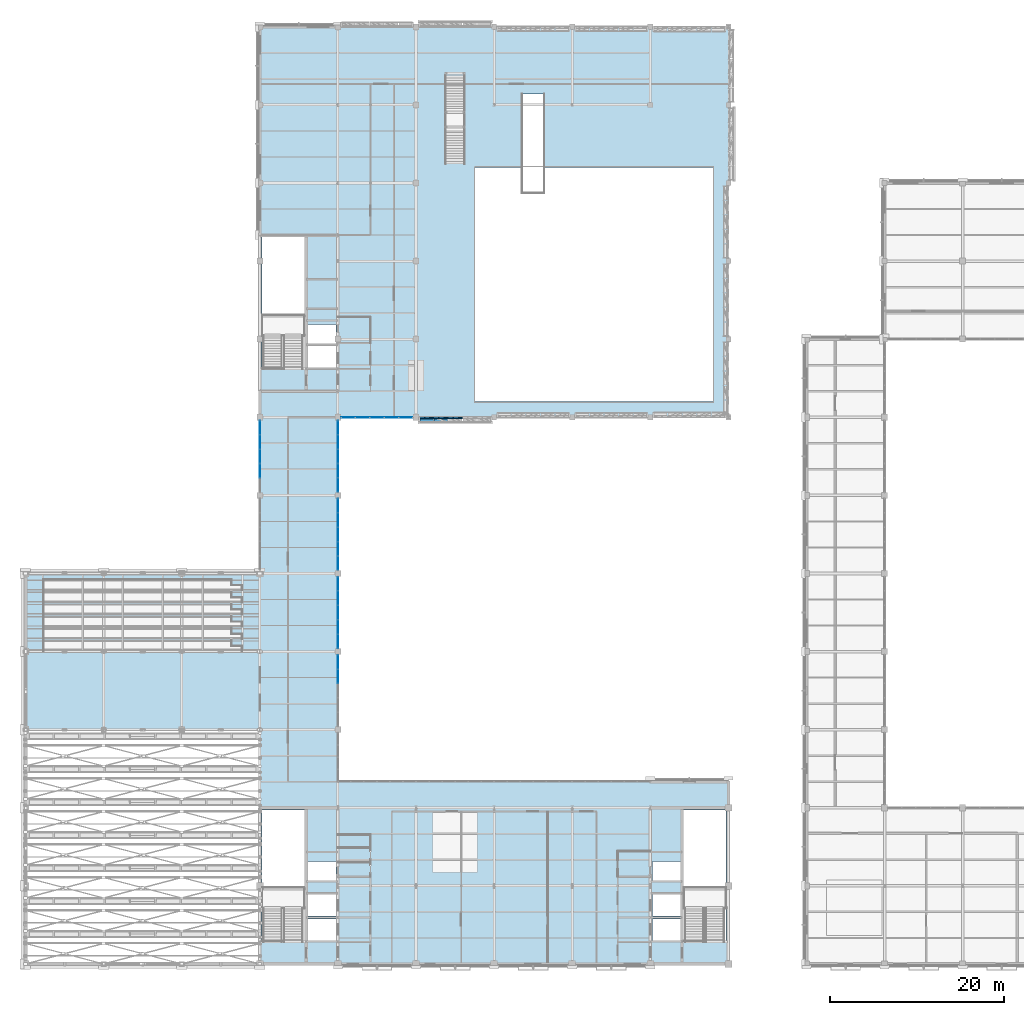
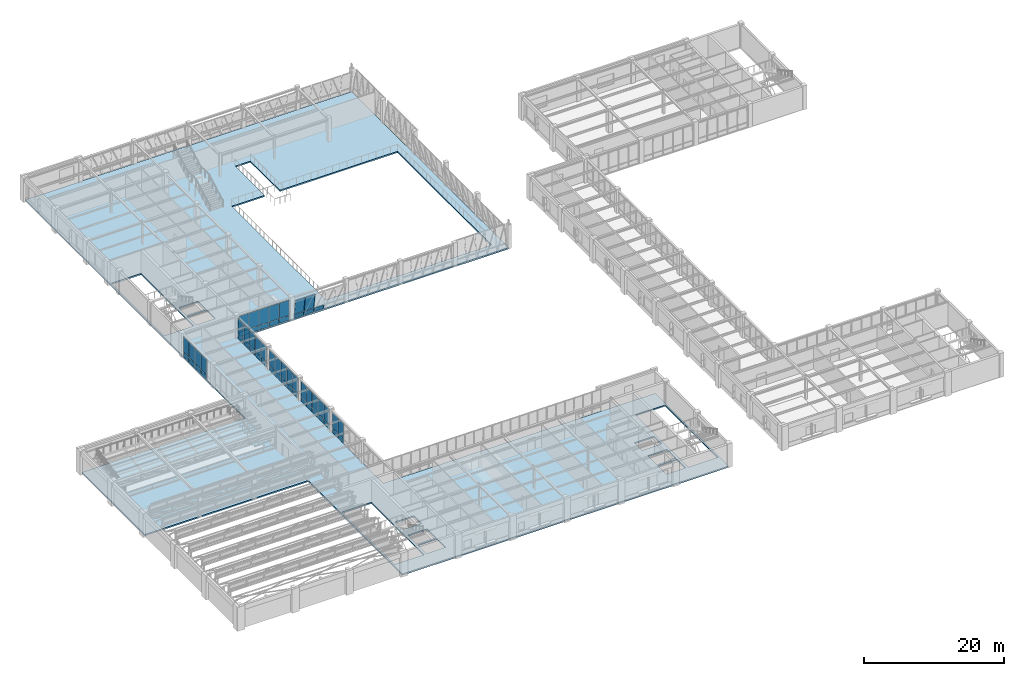
# One storey, part 81 of 108: 57 plates, 1 slab, 8 openings, 7 elements without a shape of their own.
"""IFC4 building model written with IfcOpenShell, lengths in metres."""

from ifc_helpers import new_model, si_unit, direction, frame, origin, origin_2d, place, context, subcontext, project, spatial, polyline, rectangle, outline, extrude, material, layer, layer_set, type_object, element, aggregate, save


model = new_model("IFC4")

# Units and contexts
model_context = context("Model", 3, precision=1e-05, world=origin(), true_north=direction((0.0, 1.0)))
body_context = subcontext(model_context, "Body", "Model", "MODEL_VIEW")
ifc_project = project(units=[si_unit("LENGTHUNIT", "METRE"), si_unit("AREAUNIT", "SQUARE_METRE"), si_unit("VOLUMEUNIT", "CUBIC_METRE"), si_unit("PLANEANGLEUNIT", "RADIAN"), si_unit("MASSUNIT", "GRAM", prefix="KILO")], contexts=[model_context])

# Site, building, storey
site_placement = place(None, origin())
site = spatial("IfcSite", under=ifc_project, at=site_placement, CompositionType="ELEMENT")
building_placement = place(site_placement, origin())
building = spatial("IfcBuilding", under=site, at=building_placement, Name="Lykobir Media Centre", CompositionType="ELEMENT")
storey_placement = place(building_placement, frame((0.0, 0.0, 15.0)))
storey = spatial("IfcBuildingStorey", under=building, at=storey_placement, Name="L03", CompositionType="ELEMENT", Elevation=15.0)

# Curtain wall, plates
ifc_material_1 = material(Name="Anodized Aluminium AW-6060", Category="aluminium")
curtain_wall_type_1 = type_object("IfcCurtainWallType", Name="CW-COURT-B", PredefinedType="NOTDEFINED", material=ifc_material_1)
curtain_wall_1_placement = place(storey_placement, origin())
curtain_wall_1 = element("IfcCurtainWall", 1, at=curtain_wall_1_placement, inside=storey, type_object=curtain_wall_type_1, Name="Curtain wall CW2-L03-0116", PredefinedType="NOTDEFINED")
ifc_material_2 = material(Name="Low-E Laminated Triple Glazing", Category="glass")
ifc_layer_1 = layer(ifc_material_2, 0.0380859375, Name="Low-E Laminated Triple Glazing")
ifc_layer_set_1 = layer_set([ifc_layer_1], Name="Low-E Laminated Triple Glazing")
plate_type_1 = type_object("IfcPlateType", Name="CWP-GLZ-38", PredefinedType="CURTAIN_PANEL", material=ifc_layer_set_1)
plate_1_placement = place(storey_placement, frame((36.0, 34.80224609375, 0.87744140625), z_axis=(0.0, 0.0, 1.0), x_axis=(0.0, -1.0, 0.0)))
plate_1 = element("IfcPlate", 2, at=plate_1_placement, type_object=plate_type_1, Name="CW2-L03-0116 panel 1.2", PredefinedType="CURTAIN_PANEL", context=body_context, shape_type="SweptSolid", body=[
    extrude(rectangle(XDim=1.575439453125, YDim=0.0380859375, at=origin_2d()), origin(), (0.0, 0.0, 1.0), 2.702392578125),
])
plate_2_placement = place(storey_placement, frame((36.0, 33.157958984375, 0.87744140625), z_axis=(0.0, 0.0, 1.0), x_axis=(0.0, -1.0, 0.0)))
plate_2 = element("IfcPlate", 3, at=plate_2_placement, type_object=plate_type_1, Name="CW2-L03-0116 panel 2.2", PredefinedType="CURTAIN_PANEL", context=body_context, shape_type="SweptSolid", body=[
    extrude(rectangle(XDim=1.60302734375, YDim=0.0380859375, at=origin_2d()), origin(), (0.0, 0.0, 1.0), 2.702392578125),
])

curtain_wall_2_placement = place(storey_placement, origin())
curtain_wall_2 = element("IfcCurtainWall", 4, at=curtain_wall_2_placement, inside=storey, type_object=curtain_wall_type_1, Name="Curtain wall CW2-L03-0117", PredefinedType="NOTDEFINED")
plate_3_placement = place(storey_placement, frame((36.0, 43.80224609375, 0.87744140625), z_axis=(0.0, 0.0, 1.0), x_axis=(0.0, -1.0, 0.0)))
plate_3 = element("IfcPlate", 5, at=plate_3_placement, type_object=plate_type_1, Name="CW2-L03-0117 panel 1.2", PredefinedType="CURTAIN_PANEL", context=body_context, shape_type="SweptSolid", body=[
    extrude(rectangle(XDim=1.575439453125, YDim=0.0380859375, at=origin_2d()), origin(), (0.0, 0.0, 1.0), 2.702392578125),
])
plate_4_placement = place(storey_placement, frame((36.0, 42.157958984375, 0.87744140625), z_axis=(0.0, 0.0, 1.0), x_axis=(0.0, -1.0, 0.0)))
plate_4 = element("IfcPlate", 6, at=plate_4_placement, type_object=plate_type_1, Name="CW2-L03-0117 panel 2.2", PredefinedType="CURTAIN_PANEL", context=body_context, shape_type="SweptSolid", body=[
    extrude(rectangle(XDim=1.60302734375, YDim=0.0380859375, at=origin_2d()), origin(), (0.0, 0.0, 1.0), 2.702392578125),
])
plate_5_placement = place(storey_placement, frame((36.0, 40.5, 0.87744140625), z_axis=(0.0, 0.0, 1.0), x_axis=(0.0, -1.0, 0.0)))
plate_5 = element("IfcPlate", 7, at=plate_5_placement, type_object=plate_type_1, Name="CW2-L03-0117 panel 3.2", PredefinedType="CURTAIN_PANEL", context=body_context, shape_type="SweptSolid", body=[
    extrude(rectangle(XDim=1.60302734375, YDim=0.0380859375, at=origin_2d()), origin(), (0.0, 0.0, 1.0), 2.702392578125),
])
plate_6_placement = place(storey_placement, frame((36.0, 38.842041015625, 0.87744140625), z_axis=(0.0, 0.0, 1.0), x_axis=(0.0, -1.0, 0.0)))
plate_6 = element("IfcPlate", 8, at=plate_6_placement, type_object=plate_type_1, Name="CW2-L03-0117 panel 4.2", PredefinedType="CURTAIN_PANEL", context=body_context, shape_type="SweptSolid", body=[
    extrude(rectangle(XDim=1.60302734375, YDim=0.0380859375, at=origin_2d()), origin(), (0.0, 0.0, 1.0), 2.702392578125),
])
plate_7_placement = place(storey_placement, frame((36.0, 37.19775390625, 0.87744140625), z_axis=(0.0, 0.0, 1.0), x_axis=(0.0, -1.0, 0.0)))
plate_7 = element("IfcPlate", 9, at=plate_7_placement, type_object=plate_type_1, Name="CW2-L03-0117 panel 5.2", PredefinedType="CURTAIN_PANEL", context=body_context, shape_type="SweptSolid", body=[
    extrude(rectangle(XDim=1.575439453125, YDim=0.0380859375, at=origin_2d()), origin(), (0.0, 0.0, 1.0), 2.702392578125),
])

curtain_wall_3_placement = place(storey_placement, origin())
curtain_wall_3 = element("IfcCurtainWall", 10, at=curtain_wall_3_placement, inside=storey, type_object=curtain_wall_type_1, Name="Curtain wall CW2-L03-0118", PredefinedType="NOTDEFINED")
plate_8_placement = place(storey_placement, frame((36.0, 52.80224609375, 0.87744140625), z_axis=(0.0, 0.0, 1.0), x_axis=(0.0, -1.0, 0.0)))
plate_8 = element("IfcPlate", 11, at=plate_8_placement, type_object=plate_type_1, Name="CW2-L03-0118 panel 1.2", PredefinedType="CURTAIN_PANEL", context=body_context, shape_type="SweptSolid", body=[
    extrude(rectangle(XDim=1.575439453125, YDim=0.0380859375, at=origin_2d()), origin(), (0.0, 0.0, 1.0), 2.702392578125),
])
plate_9_placement = place(storey_placement, frame((36.0, 51.157958984375, 0.87744140625), z_axis=(0.0, 0.0, 1.0), x_axis=(0.0, -1.0, 0.0)))
plate_9 = element("IfcPlate", 12, at=plate_9_placement, type_object=plate_type_1, Name="CW2-L03-0118 panel 2.2", PredefinedType="CURTAIN_PANEL", context=body_context, shape_type="SweptSolid", body=[
    extrude(rectangle(XDim=1.60302734375, YDim=0.0380859375, at=origin_2d()), origin(), (0.0, 0.0, 1.0), 2.702392578125),
])
plate_10_placement = place(storey_placement, frame((36.0, 49.5, 0.87744140625), z_axis=(0.0, 0.0, 1.0), x_axis=(0.0, -1.0, 0.0)))
plate_10 = element("IfcPlate", 13, at=plate_10_placement, type_object=plate_type_1, Name="CW2-L03-0118 panel 3.2", PredefinedType="CURTAIN_PANEL", context=body_context, shape_type="SweptSolid", body=[
    extrude(rectangle(XDim=1.60302734375, YDim=0.0380859375, at=origin_2d()), origin(), (0.0, 0.0, 1.0), 2.702392578125),
])
plate_11_placement = place(storey_placement, frame((36.0, 47.842041015625, 0.87744140625), z_axis=(0.0, 0.0, 1.0), x_axis=(0.0, -1.0, 0.0)))
plate_11 = element("IfcPlate", 14, at=plate_11_placement, type_object=plate_type_1, Name="CW2-L03-0118 panel 4.2", PredefinedType="CURTAIN_PANEL", context=body_context, shape_type="SweptSolid", body=[
    extrude(rectangle(XDim=1.60302734375, YDim=0.0380859375, at=origin_2d()), origin(), (0.0, 0.0, 1.0), 2.702392578125),
])
plate_12_placement = place(storey_placement, frame((36.0, 46.19775390625, 0.87744140625), z_axis=(0.0, 0.0, 1.0), x_axis=(0.0, -1.0, 0.0)))
plate_12 = element("IfcPlate", 15, at=plate_12_placement, type_object=plate_type_1, Name="CW2-L03-0118 panel 5.2", PredefinedType="CURTAIN_PANEL", context=body_context, shape_type="SweptSolid", body=[
    extrude(rectangle(XDim=1.575439453125, YDim=0.0380859375, at=origin_2d()), origin(), (0.0, 0.0, 1.0), 2.702392578125),
])

curtain_wall_4_placement = place(storey_placement, origin())
curtain_wall_4 = element("IfcCurtainWall", 16, at=curtain_wall_4_placement, inside=storey, type_object=curtain_wall_type_1, Name="Curtain wall CW2-L03-0119", PredefinedType="NOTDEFINED")
plate_13_placement = place(storey_placement, frame((36.0, 61.80224609375, 0.87744140625), z_axis=(0.0, 0.0, 1.0), x_axis=(0.0, -1.0, 0.0)))
plate_13 = element("IfcPlate", 17, at=plate_13_placement, type_object=plate_type_1, Name="CW2-L03-0119 panel 1.2", PredefinedType="CURTAIN_PANEL", context=body_context, shape_type="SweptSolid", body=[
    extrude(rectangle(XDim=1.575439453125, YDim=0.0380859375, at=origin_2d()), origin(), (0.0, 0.0, 1.0), 2.702392578125),
])
plate_14_placement = place(storey_placement, frame((36.0, 60.157958984375, 0.87744140625), z_axis=(0.0, 0.0, 1.0), x_axis=(0.0, -1.0, 0.0)))
plate_14 = element("IfcPlate", 18, at=plate_14_placement, type_object=plate_type_1, Name="CW2-L03-0119 panel 2.2", PredefinedType="CURTAIN_PANEL", context=body_context, shape_type="SweptSolid", body=[
    extrude(rectangle(XDim=1.60302734375, YDim=0.0380859375, at=origin_2d()), origin(), (0.0, 0.0, 1.0), 2.702392578125),
])
plate_15_placement = place(storey_placement, frame((36.0, 58.5, 0.87744140625), z_axis=(0.0, 0.0, 1.0), x_axis=(0.0, -1.0, 0.0)))
plate_15 = element("IfcPlate", 19, at=plate_15_placement, type_object=plate_type_1, Name="CW2-L03-0119 panel 3.2", PredefinedType="CURTAIN_PANEL", context=body_context, shape_type="SweptSolid", body=[
    extrude(rectangle(XDim=1.60302734375, YDim=0.0380859375, at=origin_2d()), origin(), (0.0, 0.0, 1.0), 2.702392578125),
])
plate_16_placement = place(storey_placement, frame((36.0, 56.842041015625, 0.87744140625), z_axis=(0.0, 0.0, 1.0), x_axis=(0.0, -1.0, 0.0)))
plate_16 = element("IfcPlate", 20, at=plate_16_placement, type_object=plate_type_1, Name="CW2-L03-0119 panel 4.2", PredefinedType="CURTAIN_PANEL", context=body_context, shape_type="SweptSolid", body=[
    extrude(rectangle(XDim=1.60302734375, YDim=0.0380859375, at=origin_2d()), origin(), (0.0, 0.0, 1.0), 2.702392578125),
])
plate_17_placement = place(storey_placement, frame((36.0, 55.19775390625, 0.87744140625), z_axis=(0.0, 0.0, 1.0), x_axis=(0.0, -1.0, 0.0)))
plate_17 = element("IfcPlate", 21, at=plate_17_placement, type_object=plate_type_1, Name="CW2-L03-0119 panel 5.2", PredefinedType="CURTAIN_PANEL", context=body_context, shape_type="SweptSolid", body=[
    extrude(rectangle(XDim=1.575439453125, YDim=0.0380859375, at=origin_2d()), origin(), (0.0, 0.0, 1.0), 2.702392578125),
])

curtain_wall_5_placement = place(storey_placement, origin())
curtain_wall_5 = element("IfcCurtainWall", 22, at=curtain_wall_5_placement, inside=storey, type_object=curtain_wall_type_1, Name="Curtain wall CW2-L03-0120", PredefinedType="NOTDEFINED")
plate_18_placement = place(storey_placement, frame((43.80224609375, 63.0, 0.87744140625), z_axis=(0.0, 0.0, 1.0), x_axis=(-1.0, 0.0, 0.0)))
plate_18 = element("IfcPlate", 23, at=plate_18_placement, type_object=plate_type_1, Name="CW2-L03-0120 panel 1.2", PredefinedType="CURTAIN_PANEL", context=body_context, shape_type="SweptSolid", body=[
    extrude(rectangle(XDim=1.575439453125, YDim=0.0380859375, at=origin_2d()), origin(), (0.0, 0.0, 1.0), 2.702392578125),
])
plate_19_placement = place(storey_placement, frame((42.157958984375, 63.0, 0.87744140625), z_axis=(0.0, 0.0, 1.0), x_axis=(-1.0, 0.0, 0.0)))
plate_19 = element("IfcPlate", 24, at=plate_19_placement, type_object=plate_type_1, Name="CW2-L03-0120 panel 2.2", PredefinedType="CURTAIN_PANEL", context=body_context, shape_type="SweptSolid", body=[
    extrude(rectangle(XDim=1.60302734375, YDim=0.0380859375, at=origin_2d()), origin(), (0.0, 0.0, 1.0), 2.702392578125),
])
plate_20_placement = place(storey_placement, frame((40.5, 63.0, 0.87744140625), z_axis=(0.0, 0.0, 1.0), x_axis=(-1.0, 0.0, 0.0)))
plate_20 = element("IfcPlate", 25, at=plate_20_placement, type_object=plate_type_1, Name="CW2-L03-0120 panel 3.2", PredefinedType="CURTAIN_PANEL", context=body_context, shape_type="SweptSolid", body=[
    extrude(rectangle(XDim=1.60302734375, YDim=0.0380859375, at=origin_2d()), origin(), (0.0, 0.0, 1.0), 2.702392578125),
])
plate_21_placement = place(storey_placement, frame((38.842041015625, 63.0, 0.87744140625), z_axis=(0.0, 0.0, 1.0), x_axis=(-1.0, 0.0, 0.0)))
plate_21 = element("IfcPlate", 26, at=plate_21_placement, type_object=plate_type_1, Name="CW2-L03-0120 panel 4.2", PredefinedType="CURTAIN_PANEL", context=body_context, shape_type="SweptSolid", body=[
    extrude(rectangle(XDim=1.60302734375, YDim=0.0380859375, at=origin_2d()), origin(), (0.0, 0.0, 1.0), 2.702392578125),
])
plate_22_placement = place(storey_placement, frame((37.19775390625, 63.0, 0.87744140625), z_axis=(0.0, 0.0, 1.0), x_axis=(-1.0, 0.0, 0.0)))
plate_22 = element("IfcPlate", 27, at=plate_22_placement, type_object=plate_type_1, Name="CW2-L03-0120 panel 5.2", PredefinedType="CURTAIN_PANEL", context=body_context, shape_type="SweptSolid", body=[
    extrude(rectangle(XDim=1.575439453125, YDim=0.0380859375, at=origin_2d()), origin(), (0.0, 0.0, 1.0), 2.702392578125),
])

curtain_wall_6_placement = place(storey_placement, origin())
curtain_wall_6 = element("IfcCurtainWall", 28, at=curtain_wall_6_placement, inside=storey, type_object=curtain_wall_type_1, Name="Curtain wall CW2-L03-0136", PredefinedType="NOTDEFINED")
plate_23_placement = place(storey_placement, frame((27.0, 56.842041015625, 0.87744140625), z_axis=(0.0, 0.0, 1.0), x_axis=(0.0, 1.0, 0.0)))
plate_23 = element("IfcPlate", 29, at=plate_23_placement, type_object=plate_type_1, Name="CW2-L03-0136 panel 2.2", PredefinedType="CURTAIN_PANEL", context=body_context, shape_type="SweptSolid", body=[
    extrude(rectangle(XDim=1.60302734375, YDim=0.0380859375, at=origin_2d()), origin(), (0.0, 0.0, 1.0), 2.702392578125),
])
plate_24_placement = place(storey_placement, frame((27.0, 58.5, 0.87744140625), z_axis=(0.0, 0.0, 1.0), x_axis=(0.0, 1.0, 0.0)))
plate_24 = element("IfcPlate", 30, at=plate_24_placement, type_object=plate_type_1, Name="CW2-L03-0136 panel 3.2", PredefinedType="CURTAIN_PANEL", context=body_context, shape_type="SweptSolid", body=[
    extrude(rectangle(XDim=1.60302734375, YDim=0.0380859375, at=origin_2d()), origin(), (0.0, 0.0, 1.0), 2.702392578125),
])
plate_25_placement = place(storey_placement, frame((27.0, 60.157958984375, 0.87744140625), z_axis=(0.0, 0.0, 1.0), x_axis=(0.0, 1.0, 0.0)))
plate_25 = element("IfcPlate", 31, at=plate_25_placement, type_object=plate_type_1, Name="CW2-L03-0136 panel 4.2", PredefinedType="CURTAIN_PANEL", context=body_context, shape_type="SweptSolid", body=[
    extrude(rectangle(XDim=1.60302734375, YDim=0.0380859375, at=origin_2d()), origin(), (0.0, 0.0, 1.0), 2.702392578125),
])
plate_26_placement = place(storey_placement, frame((27.0, 61.80224609375, 0.87744140625), z_axis=(0.0, 0.0, 1.0), x_axis=(0.0, 1.0, 0.0)))
plate_26 = element("IfcPlate", 32, at=plate_26_placement, type_object=plate_type_1, Name="CW2-L03-0136 panel 5.2", PredefinedType="CURTAIN_PANEL", context=body_context, shape_type="SweptSolid", body=[
    extrude(rectangle(XDim=1.575439453125, YDim=0.0380859375, at=origin_2d()), origin(), (0.0, 0.0, 1.0), 2.702392578125),
])

curtain_wall_type_2 = type_object("IfcCurtainWallType", Name="CW-V6-CR3", PredefinedType="NOTDEFINED", material=ifc_material_1)
curtain_wall_7_placement = place(storey_placement, origin())
curtain_wall_7 = element("IfcCurtainWall", 33, at=curtain_wall_7_placement, inside=storey, type_object=curtain_wall_type_2, Name="Curtain wall CW2-L03-0121", PredefinedType="NOTDEFINED")
ifc_layer_2 = layer(ifc_material_2, 0.0439453125, Name="Low-E Laminated Triple Glazing")
ifc_layer_set_2 = layer_set([ifc_layer_2], Name="Low-E Laminated Triple Glazing")
plate_type_2 = type_object("IfcPlateType", Name="CWP-GLZ-44", PredefinedType="CURTAIN_PANEL", material=ifc_layer_set_2)
plate_27_placement = place(storey_placement, frame((46.207763671875, 62.873291015625, 0.87841796875), z_axis=(0.0, -0.142628933706, 0.989776230908), x_axis=(1.0, 0.0, 0.0)))
plate_27 = element("IfcPlate", 34, at=plate_27_placement, type_object=plate_type_2, Name="CW2-L03-0121 panel 1.2", PredefinedType="CURTAIN_PANEL", context=body_context, shape_type="SweptSolid", body=[
    extrude(rectangle(XDim=1.555419921875, YDim=0.0439453125, at=origin_2d()), origin(), (0.0, 0.0, 1.0), 2.7099609375),
])
plate_28_placement = place(storey_placement, frame((47.85693359375, 62.873291015625, 0.87841796875), z_axis=(0.0, -0.142628933706, 0.989776230908), x_axis=(1.0, 0.0, 0.0)))
plate_28 = element("IfcPlate", 35, at=plate_28_placement, type_object=plate_type_2, Name="CW2-L03-0121 panel 2.2", PredefinedType="CURTAIN_PANEL", context=body_context, shape_type="SweptSolid", body=[
    extrude(rectangle(XDim=1.593017578125, YDim=0.0439453125, at=origin_2d()), origin(), (0.0, 0.0, 1.0), 2.7099609375),
])

# Plate
ifc_material_3 = material(Name="Pre-Weathered Titanium-Zinc", Category="metal")
ifc_layer_3 = layer(ifc_material_3, 0.052001953125, Name="Pre-Weathered Titanium-Zinc")
ifc_layer_set_3 = layer_set([ifc_layer_3], Name="Pre-Weathered Titanium-Zinc")
plate_type_3 = type_object("IfcPlateType", Name="CWP-SPN-52", PredefinedType="CURTAIN_PANEL", material=ifc_layer_set_3)
plate_29_placement = place(storey_placement, frame((36.0, 34.80224609375, 0.054931640625), z_axis=(0.0, 0.0, 1.0), x_axis=(0.0, -1.0, 0.0)))
plate_29 = element("IfcPlate", 36, at=plate_29_placement, type_object=plate_type_3, Name="CW2-L03-0116 panel 1.1", PredefinedType="CURTAIN_PANEL", context=body_context, shape_type="SweptSolid", body=[
    extrude(rectangle(XDim=1.575439453125, YDim=0.052001953125, at=origin_2d()), origin(), (0.0, 0.0, 1.0), 0.767578125),
])

plate_30_placement = place(storey_placement, frame((36.0, 33.157958984375, 0.054931640625), z_axis=(0.0, 0.0, 1.0), x_axis=(0.0, -1.0, 0.0)))
plate_30 = element("IfcPlate", 37, at=plate_30_placement, type_object=plate_type_3, Name="CW2-L03-0116 panel 2.1", PredefinedType="CURTAIN_PANEL", context=body_context, shape_type="SweptSolid", body=[
    extrude(rectangle(XDim=1.60302734375, YDim=0.052001953125, at=origin_2d()), origin(), (0.0, 0.0, 1.0), 0.767578125),
])

aggregate(curtain_wall_1, [plate_29, plate_1, plate_30, plate_2])

plate_31_placement = place(storey_placement, frame((36.0, 43.80224609375, 0.054931640625), z_axis=(0.0, 0.0, 1.0), x_axis=(0.0, -1.0, 0.0)))
plate_31 = element("IfcPlate", 38, at=plate_31_placement, type_object=plate_type_3, Name="CW2-L03-0117 panel 1.1", PredefinedType="CURTAIN_PANEL", context=body_context, shape_type="SweptSolid", body=[
    extrude(rectangle(XDim=1.575439453125, YDim=0.052001953125, at=origin_2d()), origin(), (0.0, 0.0, 1.0), 0.767578125),
])

plate_32_placement = place(storey_placement, frame((36.0, 42.157958984375, 0.054931640625), z_axis=(0.0, 0.0, 1.0), x_axis=(0.0, -1.0, 0.0)))
plate_32 = element("IfcPlate", 39, at=plate_32_placement, type_object=plate_type_3, Name="CW2-L03-0117 panel 2.1", PredefinedType="CURTAIN_PANEL", context=body_context, shape_type="SweptSolid", body=[
    extrude(rectangle(XDim=1.60302734375, YDim=0.052001953125, at=origin_2d()), origin(), (0.0, 0.0, 1.0), 0.767578125),
])

plate_33_placement = place(storey_placement, frame((36.0, 40.5, 0.054931640625), z_axis=(0.0, 0.0, 1.0), x_axis=(0.0, -1.0, 0.0)))
plate_33 = element("IfcPlate", 40, at=plate_33_placement, type_object=plate_type_3, Name="CW2-L03-0117 panel 3.1", PredefinedType="CURTAIN_PANEL", context=body_context, shape_type="SweptSolid", body=[
    extrude(rectangle(XDim=1.60302734375, YDim=0.052001953125, at=origin_2d()), origin(), (0.0, 0.0, 1.0), 0.767578125),
])

plate_34_placement = place(storey_placement, frame((36.0, 38.842041015625, 0.054931640625), z_axis=(0.0, 0.0, 1.0), x_axis=(0.0, -1.0, 0.0)))
plate_34 = element("IfcPlate", 41, at=plate_34_placement, type_object=plate_type_3, Name="CW2-L03-0117 panel 4.1", PredefinedType="CURTAIN_PANEL", context=body_context, shape_type="SweptSolid", body=[
    extrude(rectangle(XDim=1.60302734375, YDim=0.052001953125, at=origin_2d()), origin(), (0.0, 0.0, 1.0), 0.767578125),
])

plate_35_placement = place(storey_placement, frame((36.0, 37.19775390625, 0.054931640625), z_axis=(0.0, 0.0, 1.0), x_axis=(0.0, -1.0, 0.0)))
plate_35 = element("IfcPlate", 42, at=plate_35_placement, type_object=plate_type_3, Name="CW2-L03-0117 panel 5.1", PredefinedType="CURTAIN_PANEL", context=body_context, shape_type="SweptSolid", body=[
    extrude(rectangle(XDim=1.575439453125, YDim=0.052001953125, at=origin_2d()), origin(), (0.0, 0.0, 1.0), 0.767578125),
])

aggregate(curtain_wall_2, [plate_31, plate_3, plate_32, plate_4, plate_33, plate_5, plate_34, plate_6, plate_35, plate_7])

plate_36_placement = place(storey_placement, frame((36.0, 52.80224609375, 0.054931640625), z_axis=(0.0, 0.0, 1.0), x_axis=(0.0, -1.0, 0.0)))
plate_36 = element("IfcPlate", 43, at=plate_36_placement, type_object=plate_type_3, Name="CW2-L03-0118 panel 1.1", PredefinedType="CURTAIN_PANEL", context=body_context, shape_type="SweptSolid", body=[
    extrude(rectangle(XDim=1.575439453125, YDim=0.052001953125, at=origin_2d()), origin(), (0.0, 0.0, 1.0), 0.767578125),
])

plate_37_placement = place(storey_placement, frame((36.0, 51.157958984375, 0.054931640625), z_axis=(0.0, 0.0, 1.0), x_axis=(0.0, -1.0, 0.0)))
plate_37 = element("IfcPlate", 44, at=plate_37_placement, type_object=plate_type_3, Name="CW2-L03-0118 panel 2.1", PredefinedType="CURTAIN_PANEL", context=body_context, shape_type="SweptSolid", body=[
    extrude(rectangle(XDim=1.60302734375, YDim=0.052001953125, at=origin_2d()), origin(), (0.0, 0.0, 1.0), 0.767578125),
])

plate_38_placement = place(storey_placement, frame((36.0, 49.5, 0.054931640625), z_axis=(0.0, 0.0, 1.0), x_axis=(0.0, -1.0, 0.0)))
plate_38 = element("IfcPlate", 45, at=plate_38_placement, type_object=plate_type_3, Name="CW2-L03-0118 panel 3.1", PredefinedType="CURTAIN_PANEL", context=body_context, shape_type="SweptSolid", body=[
    extrude(rectangle(XDim=1.60302734375, YDim=0.052001953125, at=origin_2d()), origin(), (0.0, 0.0, 1.0), 0.767578125),
])

plate_39_placement = place(storey_placement, frame((36.0, 47.842041015625, 0.054931640625), z_axis=(0.0, 0.0, 1.0), x_axis=(0.0, -1.0, 0.0)))
plate_39 = element("IfcPlate", 46, at=plate_39_placement, type_object=plate_type_3, Name="CW2-L03-0118 panel 4.1", PredefinedType="CURTAIN_PANEL", context=body_context, shape_type="SweptSolid", body=[
    extrude(rectangle(XDim=1.60302734375, YDim=0.052001953125, at=origin_2d()), origin(), (0.0, 0.0, 1.0), 0.767578125),
])

plate_40_placement = place(storey_placement, frame((36.0, 46.19775390625, 0.054931640625), z_axis=(0.0, 0.0, 1.0), x_axis=(0.0, -1.0, 0.0)))
plate_40 = element("IfcPlate", 47, at=plate_40_placement, type_object=plate_type_3, Name="CW2-L03-0118 panel 5.1", PredefinedType="CURTAIN_PANEL", context=body_context, shape_type="SweptSolid", body=[
    extrude(rectangle(XDim=1.575439453125, YDim=0.052001953125, at=origin_2d()), origin(), (0.0, 0.0, 1.0), 0.767578125),
])

aggregate(curtain_wall_3, [plate_36, plate_8, plate_37, plate_9, plate_38, plate_10, plate_39, plate_11, plate_40, plate_12])

plate_41_placement = place(storey_placement, frame((36.0, 61.80224609375, 0.054931640625), z_axis=(0.0, 0.0, 1.0), x_axis=(0.0, -1.0, 0.0)))
plate_41 = element("IfcPlate", 48, at=plate_41_placement, type_object=plate_type_3, Name="CW2-L03-0119 panel 1.1", PredefinedType="CURTAIN_PANEL", context=body_context, shape_type="SweptSolid", body=[
    extrude(rectangle(XDim=1.575439453125, YDim=0.052001953125, at=origin_2d()), origin(), (0.0, 0.0, 1.0), 0.767578125),
])

plate_42_placement = place(storey_placement, frame((36.0, 60.157958984375, 0.054931640625), z_axis=(0.0, 0.0, 1.0), x_axis=(0.0, -1.0, 0.0)))
plate_42 = element("IfcPlate", 49, at=plate_42_placement, type_object=plate_type_3, Name="CW2-L03-0119 panel 2.1", PredefinedType="CURTAIN_PANEL", context=body_context, shape_type="SweptSolid", body=[
    extrude(rectangle(XDim=1.60302734375, YDim=0.052001953125, at=origin_2d()), origin(), (0.0, 0.0, 1.0), 0.767578125),
])

plate_43_placement = place(storey_placement, frame((36.0, 58.5, 0.054931640625), z_axis=(0.0, 0.0, 1.0), x_axis=(0.0, -1.0, 0.0)))
plate_43 = element("IfcPlate", 50, at=plate_43_placement, type_object=plate_type_3, Name="CW2-L03-0119 panel 3.1", PredefinedType="CURTAIN_PANEL", context=body_context, shape_type="SweptSolid", body=[
    extrude(rectangle(XDim=1.60302734375, YDim=0.052001953125, at=origin_2d()), origin(), (0.0, 0.0, 1.0), 0.767578125),
])

plate_44_placement = place(storey_placement, frame((36.0, 56.842041015625, 0.054931640625), z_axis=(0.0, 0.0, 1.0), x_axis=(0.0, -1.0, 0.0)))
plate_44 = element("IfcPlate", 51, at=plate_44_placement, type_object=plate_type_3, Name="CW2-L03-0119 panel 4.1", PredefinedType="CURTAIN_PANEL", context=body_context, shape_type="SweptSolid", body=[
    extrude(rectangle(XDim=1.60302734375, YDim=0.052001953125, at=origin_2d()), origin(), (0.0, 0.0, 1.0), 0.767578125),
])

plate_45_placement = place(storey_placement, frame((36.0, 55.19775390625, 0.054931640625), z_axis=(0.0, 0.0, 1.0), x_axis=(0.0, -1.0, 0.0)))
plate_45 = element("IfcPlate", 52, at=plate_45_placement, type_object=plate_type_3, Name="CW2-L03-0119 panel 5.1", PredefinedType="CURTAIN_PANEL", context=body_context, shape_type="SweptSolid", body=[
    extrude(rectangle(XDim=1.575439453125, YDim=0.052001953125, at=origin_2d()), origin(), (0.0, 0.0, 1.0), 0.767578125),
])

aggregate(curtain_wall_4, [plate_41, plate_13, plate_42, plate_14, plate_43, plate_15, plate_44, plate_16, plate_45, plate_17])

plate_46_placement = place(storey_placement, frame((43.80224609375, 63.0, 0.054931640625), z_axis=(0.0, 0.0, 1.0), x_axis=(-1.0, 0.0, 0.0)))
plate_46 = element("IfcPlate", 53, at=plate_46_placement, type_object=plate_type_3, Name="CW2-L03-0120 panel 1.1", PredefinedType="CURTAIN_PANEL", context=body_context, shape_type="SweptSolid", body=[
    extrude(rectangle(XDim=1.575439453125, YDim=0.052001953125, at=origin_2d()), origin(), (0.0, 0.0, 1.0), 0.767578125),
])

plate_47_placement = place(storey_placement, frame((42.157958984375, 63.0, 0.054931640625), z_axis=(0.0, 0.0, 1.0), x_axis=(-1.0, 0.0, 0.0)))
plate_47 = element("IfcPlate", 54, at=plate_47_placement, type_object=plate_type_3, Name="CW2-L03-0120 panel 2.1", PredefinedType="CURTAIN_PANEL", context=body_context, shape_type="SweptSolid", body=[
    extrude(rectangle(XDim=1.60302734375, YDim=0.052001953125, at=origin_2d()), origin(), (0.0, 0.0, 1.0), 0.767578125),
])

plate_48_placement = place(storey_placement, frame((40.5, 63.0, 0.054931640625), z_axis=(0.0, 0.0, 1.0), x_axis=(-1.0, 0.0, 0.0)))
plate_48 = element("IfcPlate", 55, at=plate_48_placement, type_object=plate_type_3, Name="CW2-L03-0120 panel 3.1", PredefinedType="CURTAIN_PANEL", context=body_context, shape_type="SweptSolid", body=[
    extrude(rectangle(XDim=1.60302734375, YDim=0.052001953125, at=origin_2d()), origin(), (0.0, 0.0, 1.0), 0.767578125),
])

plate_49_placement = place(storey_placement, frame((38.842041015625, 63.0, 0.054931640625), z_axis=(0.0, 0.0, 1.0), x_axis=(-1.0, 0.0, 0.0)))
plate_49 = element("IfcPlate", 56, at=plate_49_placement, type_object=plate_type_3, Name="CW2-L03-0120 panel 4.1", PredefinedType="CURTAIN_PANEL", context=body_context, shape_type="SweptSolid", body=[
    extrude(rectangle(XDim=1.60302734375, YDim=0.052001953125, at=origin_2d()), origin(), (0.0, 0.0, 1.0), 0.767578125),
])

plate_50_placement = place(storey_placement, frame((37.19775390625, 63.0, 0.054931640625), z_axis=(0.0, 0.0, 1.0), x_axis=(-1.0, 0.0, 0.0)))
plate_50 = element("IfcPlate", 57, at=plate_50_placement, type_object=plate_type_3, Name="CW2-L03-0120 panel 5.1", PredefinedType="CURTAIN_PANEL", context=body_context, shape_type="SweptSolid", body=[
    extrude(rectangle(XDim=1.575439453125, YDim=0.052001953125, at=origin_2d()), origin(), (0.0, 0.0, 1.0), 0.767578125),
])

aggregate(curtain_wall_5, [plate_46, plate_18, plate_47, plate_19, plate_48, plate_20, plate_49, plate_21, plate_50, plate_22])

plate_51_placement = place(storey_placement, frame((27.0, 56.842041015625, 0.054931640625), z_axis=(0.0, 0.0, 1.0), x_axis=(0.0, 1.0, 0.0)))
plate_51 = element("IfcPlate", 58, at=plate_51_placement, type_object=plate_type_3, Name="CW2-L03-0136 panel 2.1", PredefinedType="CURTAIN_PANEL", context=body_context, shape_type="SweptSolid", body=[
    extrude(rectangle(XDim=1.60302734375, YDim=0.052001953125, at=origin_2d()), origin(), (0.0, 0.0, 1.0), 0.767578125),
])

plate_52_placement = place(storey_placement, frame((27.0, 58.5, 0.054931640625), z_axis=(0.0, 0.0, 1.0), x_axis=(0.0, 1.0, 0.0)))
plate_52 = element("IfcPlate", 59, at=plate_52_placement, type_object=plate_type_3, Name="CW2-L03-0136 panel 3.1", PredefinedType="CURTAIN_PANEL", context=body_context, shape_type="SweptSolid", body=[
    extrude(rectangle(XDim=1.60302734375, YDim=0.052001953125, at=origin_2d()), origin(), (0.0, 0.0, 1.0), 0.767578125),
])

plate_53_placement = place(storey_placement, frame((27.0, 60.157958984375, 0.054931640625), z_axis=(0.0, 0.0, 1.0), x_axis=(0.0, 1.0, 0.0)))
plate_53 = element("IfcPlate", 60, at=plate_53_placement, type_object=plate_type_3, Name="CW2-L03-0136 panel 4.1", PredefinedType="CURTAIN_PANEL", context=body_context, shape_type="SweptSolid", body=[
    extrude(rectangle(XDim=1.60302734375, YDim=0.052001953125, at=origin_2d()), origin(), (0.0, 0.0, 1.0), 0.767578125),
])

plate_54_placement = place(storey_placement, frame((27.0, 61.80224609375, 0.054931640625), z_axis=(0.0, 0.0, 1.0), x_axis=(0.0, 1.0, 0.0)))
plate_54 = element("IfcPlate", 61, at=plate_54_placement, type_object=plate_type_3, Name="CW2-L03-0136 panel 5.1", PredefinedType="CURTAIN_PANEL", context=body_context, shape_type="SweptSolid", body=[
    extrude(rectangle(XDim=1.575439453125, YDim=0.052001953125, at=origin_2d()), origin(), (0.0, 0.0, 1.0), 0.767578125),
])

aggregate(curtain_wall_6, [plate_51, plate_23, plate_52, plate_24, plate_53, plate_25, plate_54, plate_26])

ifc_material_4 = material(Name="Glazed Turquoise Terracotta", Category="masonry")
ifc_layer_4 = layer(ifc_material_4, 0.06005859375, Name="Glazed Turquoise Terracotta")
ifc_layer_set_4 = layer_set([ifc_layer_4], Name="Glazed Turquoise Terracotta")
plate_type_4 = type_object("IfcPlateType", Name="CWP-SPN-60", PredefinedType="CURTAIN_PANEL", material=ifc_layer_set_4)
plate_55_placement = place(storey_placement, frame((46.207763671875, 62.9892578125, 0.07421875), z_axis=(0.0, -0.142628933706, 0.989776230908), x_axis=(1.0, 0.0, 0.0)))
plate_55 = element("IfcPlate", 62, at=plate_55_placement, type_object=plate_type_4, Name="CW2-L03-0121 panel 1.1", PredefinedType="CURTAIN_PANEL", context=body_context, shape_type="SweptSolid", body=[
    extrude(rectangle(XDim=1.555419921875, YDim=0.06005859375, at=origin_2d()), origin(), (0.0, 0.0, 1.0), 0.737548828125),
])

plate_56_placement = place(storey_placement, frame((47.85693359375, 62.9892578125, 0.07421875), z_axis=(0.0, -0.142628933706, 0.989776230908), x_axis=(1.0, 0.0, 0.0)))
plate_56 = element("IfcPlate", 63, at=plate_56_placement, type_object=plate_type_4, Name="CW2-L03-0121 panel 2.1", PredefinedType="CURTAIN_PANEL", context=body_context, shape_type="SweptSolid", body=[
    extrude(rectangle(XDim=1.593017578125, YDim=0.06005859375, at=origin_2d()), origin(), (0.0, 0.0, 1.0), 0.737548828125),
])

plate_57_placement = place(storey_placement, frame((49.52490234375, 62.9892578125, 0.07421875), z_axis=(0.0, -0.142628933706, 0.989776230908), x_axis=(1.0, 0.0, 0.0)))
plate_57 = element("IfcPlate", 64, at=plate_57_placement, type_object=plate_type_4, Name="CW2-L03-0121 panel 3.1", PredefinedType="CURTAIN_PANEL", context=body_context, shape_type="SweptSolid", body=[
    extrude(rectangle(XDim=1.593017578125, YDim=0.06005859375, at=origin_2d()), origin(), (0.0, 0.0, 1.0), 0.737548828125),
])

aggregate(curtain_wall_7, [plate_55, plate_27, plate_56, plate_28, plate_57])

# Slab, openings
ifc_material_5 = material(Name="Concrete C30/37", Category="concrete")
ifc_layer_5 = layer(ifc_material_5, 0.239990234375, Name="Concrete C30/37")
ifc_layer_set_5 = layer_set([ifc_layer_5], Name="Concrete C30/37")
slab_type = type_object("IfcSlabType", Name="FS-240", PredefinedType="FLOOR", material=ifc_layer_set_5)
slab_placement = place(storey_placement, frame((0.0, 0.0, -0.239990234375)))
slab = element("IfcSlab", 65, at=slab_placement, inside=storey, type_object=slab_type, Name="L03 structural slab 1", PredefinedType="FLOOR", context=body_context, shape_type="SweptSolid", body=[
    extrude(outline(polyline([(81.0, 21.0), (36.0, 21.0), (36.0, 63.0), (81.0, 63.0), (81.0, 108.0), (27.0, 108.0), (27.0, 63.0), (27.0, 45.0), (0.0, 45.0), (0.0, 27.0), (27.0, 27.0), (27.0, 21.0), (27.0, 0.0), (81.0, 0.0), (81.0, 21.0)]), holes=[polyline([(32.14990234375, 2.64990234375), (27.25, 2.64990234375), (27.25, 17.75), (32.14990234375, 17.75), (32.14990234375, 2.64990234375)]), polyline([(80.75, 2.64990234375), (75.85009765625, 2.64990234375), (75.85009765625, 17.75), (80.75, 17.75), (80.75, 2.64990234375)]), polyline([(32.14990234375, 68.64990234375), (27.25, 68.64990234375), (27.25, 83.75), (32.14990234375, 83.75), (32.14990234375, 68.64990234375)]), polyline([(79.199951171875, 64.800048828125), (51.800048828125, 64.800048828125), (51.800048828125, 91.800048828125), (57.25, 91.800048828125), (57.25, 100.22998046875), (59.75, 100.22998046875), (59.75, 91.800048828125), (79.199951171875, 91.800048828125), (79.199951171875, 64.800048828125)])]), origin(), (0.0, 0.0, 1.0), 0.239990234375),
])
opening_1_placement = place(slab_placement, frame((34.14990234375, 3.949951171875, 0.0)))
element("IfcOpeningElement", 66, at=opening_1_placement, cuts=slab, Name="Shaft opening C1-pass_shaft-L03", PredefinedType="OPENING", context=body_context, shape_type="SweptSolid", body=[
    extrude(rectangle(XDim=3.199951171875, YDim=2.5, at=origin_2d()), origin(), (0.0, 0.0, 1.0), 0.239990234375),
])
opening_2_placement = place(slab_placement, frame((34.14990234375, 6.75, 0.0)))
element("IfcOpeningElement", 67, at=opening_2_placement, cuts=slab, Name="Shaft opening C1-ff_shaft-L03", PredefinedType="OPENING", context=body_context, shape_type="SweptSolid", body=[
    extrude(rectangle(XDim=3.199951171875, YDim=2.5, at=origin_2d()), origin(), (0.0, 0.0, 1.0), 0.239990234375),
])
opening_3_placement = place(slab_placement, frame((34.14990234375, 10.699951171875, 0.0)))
element("IfcOpeningElement", 68, at=opening_3_placement, cuts=slab, Name="Shaft opening C1-riser_shaft-L03", PredefinedType="OPENING", context=body_context, shape_type="SweptSolid", body=[
    extrude(rectangle(XDim=3.199951171875, YDim=2.199951171875, at=origin_2d()), origin(), (0.0, 0.0, 1.0), 0.239990234375),
])
opening_4_placement = place(slab_placement, frame((73.85009765625, 3.949951171875, 0.0)))
element("IfcOpeningElement", 69, at=opening_4_placement, cuts=slab, Name="Shaft opening C2-pass_shaft-L03", PredefinedType="OPENING", context=body_context, shape_type="SweptSolid", body=[
    extrude(rectangle(XDim=3.199951171875, YDim=2.5, at=origin_2d()), origin(), (0.0, 0.0, 1.0), 0.239990234375),
])
opening_5_placement = place(slab_placement, frame((73.85009765625, 6.75, 0.0)))
element("IfcOpeningElement", 70, at=opening_5_placement, cuts=slab, Name="Shaft opening C2-ff_shaft-L03", PredefinedType="OPENING", context=body_context, shape_type="SweptSolid", body=[
    extrude(rectangle(XDim=3.199951171875, YDim=2.5, at=origin_2d()), origin(), (0.0, 0.0, 1.0), 0.239990234375),
])
opening_6_placement = place(slab_placement, frame((73.85009765625, 10.699951171875, 0.0)))
element("IfcOpeningElement", 71, at=opening_6_placement, cuts=slab, Name="Shaft opening C2-riser_shaft-L03", PredefinedType="OPENING", context=body_context, shape_type="SweptSolid", body=[
    extrude(rectangle(XDim=3.199951171875, YDim=2.199951171875, at=origin_2d()), origin(), (0.0, 0.0, 1.0), 0.239990234375),
])
opening_7_placement = place(slab_placement, frame((34.14990234375, 69.949951171875, 0.0)))
element("IfcOpeningElement", 72, at=opening_7_placement, cuts=slab, Name="Shaft opening C3-pass_shaft-L03", PredefinedType="OPENING", context=body_context, shape_type="SweptSolid", body=[
    extrude(rectangle(XDim=3.199951171875, YDim=2.5, at=origin_2d()), origin(), (0.0, 0.0, 1.0), 0.239990234375),
])
opening_8_placement = place(slab_placement, frame((34.14990234375, 72.60009765625, 0.0)))
element("IfcOpeningElement", 73, at=opening_8_placement, cuts=slab, Name="Shaft opening C3-riser_shaft-L03", PredefinedType="OPENING", context=body_context, shape_type="SweptSolid", body=[
    extrude(rectangle(XDim=3.199951171875, YDim=2.199951171875, at=origin_2d()), origin(), (0.0, 0.0, 1.0), 0.239990234375),
])

save(model, "model.ifc")
